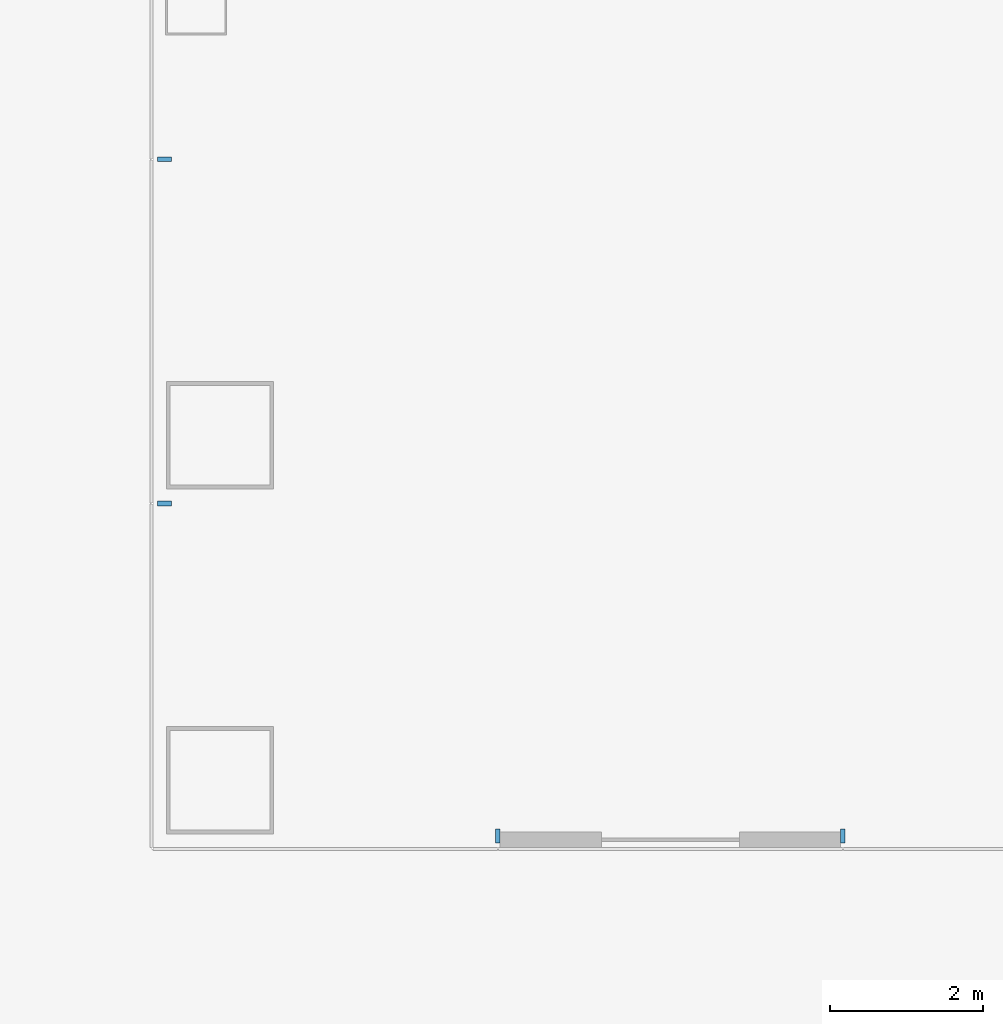
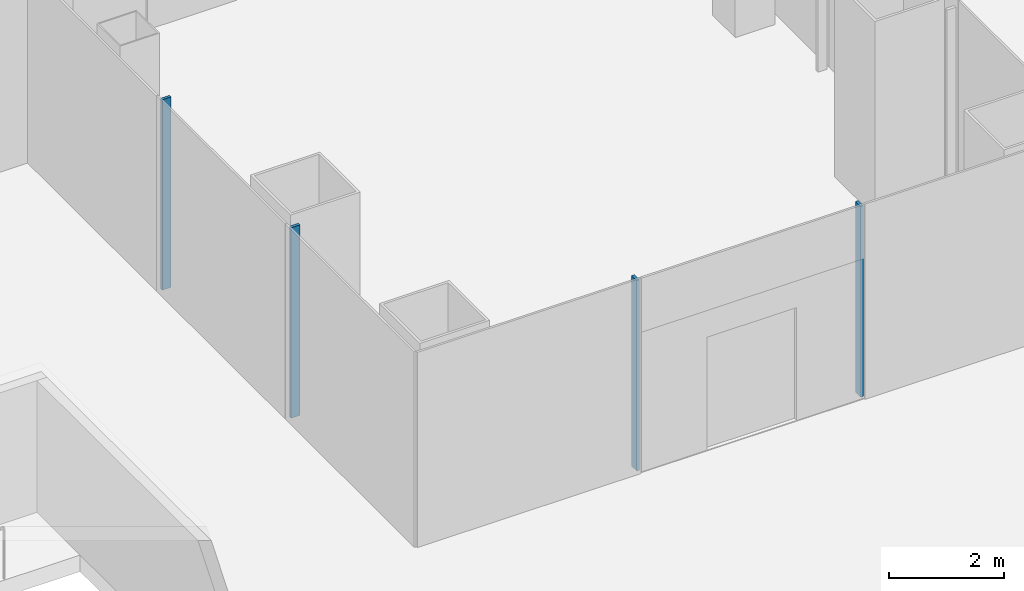
# One storey, part 3 of 23: 4 members, 2 elements without a shape of their own.
"""IFC4 building model written with IfcOpenShell, lengths in metres."""

from ifc_helpers import new_model, si_unit, direction, frame, origin, origin_2d, place, context, subcontext, project, spatial, rectangle, extrude, material, layer, layer_set, material_profile, profile_set, type_object, element, aggregate, save


model = new_model("IFC4")

# Units and contexts
model_context = context("Model", 3, precision=1e-05, world=origin(), true_north=direction((0.0, 1.0)))
body_context = subcontext(model_context, "Body", "Model", "MODEL_VIEW")
ifc_project = project(units=[si_unit("LENGTHUNIT", "METRE"), si_unit("AREAUNIT", "SQUARE_METRE"), si_unit("VOLUMEUNIT", "CUBIC_METRE"), si_unit("PLANEANGLEUNIT", "RADIAN"), si_unit("MASSUNIT", "GRAM", prefix="KILO")], contexts=[model_context])

# Site, building, storey
site_placement = place(None, origin())
site = spatial("IfcSite", under=ifc_project, at=site_placement, CompositionType="ELEMENT")
building_placement = place(site_placement, origin())
building = spatial("IfcBuilding", under=site, at=building_placement, Name="Shamsa Quay Exchange Towers", CompositionType="ELEMENT")
storey_placement = place(building_placement, frame((0.0, 0.0, 28.5)))
storey = spatial("IfcBuildingStorey", under=building, at=storey_placement, Name="L05", CompositionType="ELEMENT", Elevation=28.5)

# Curtain wall, members
ifc_material = material(Name="Aluminium EN AW-6063 T6, black anodised", Category="aluminium")
ifc_layer = layer(ifc_material, 0.280029296875)
ifc_layer_set = layer_set([ifc_layer], Name="CW-1 UNITISED VISION GLASS")
curtain_wall_type = type_object("IfcCurtainWallType", Name="CW-1 UNITISED VISION GLASS", PredefinedType="NOTDEFINED", material=ifc_layer_set)
curtain_wall_1_placement = place(storey_placement, origin())
curtain_wall_1 = element("IfcCurtainWall", 1, at=curtain_wall_1_placement, inside=storey, type_object=curtain_wall_type, Name="CW1 T1-FLK-V-W L05", PredefinedType="NOTDEFINED")
ifc_material_profile = material_profile(ifc_material, rectangle(XDim=0.179931640625, YDim=0.06005859375, at=origin_2d()), Name="MU60x180")
ifc_profile_set = profile_set([ifc_material_profile], Name="Aluminium EN AW-6063 T6, black anodised")
member_type = type_object("IfcMemberType", Name="CW1 MULLION 60x180", PredefinedType="MULLION", material=ifc_profile_set)
member_1_placement = place(storey_placement, frame((-40.35009765625, -15.775390625, 0.0)))
member_1 = element("IfcMember", 2, at=member_1_placement, type_object=member_type, Name="CW1 mullion", PredefinedType="MULLION", context=body_context, shape_type="SweptSolid", body=[
    extrude(rectangle(XDim=0.179931640625, YDim=0.06005859375, at=origin_2d()), origin(), (0.0, 0.0, 1.0), 4.050048828125),
])
member_2_placement = place(storey_placement, frame((-40.35009765625, -20.2626953125, 0.0)))
member_2 = element("IfcMember", 3, at=member_2_placement, type_object=member_type, Name="CW1 mullion", PredefinedType="MULLION", context=body_context, shape_type="SweptSolid", body=[
    extrude(rectangle(XDim=0.179931640625, YDim=0.06005859375, at=origin_2d()), origin(), (0.0, 0.0, 1.0), 4.050048828125),
])
aggregate(curtain_wall_1, [member_1, member_2])

curtain_wall_2_placement = place(storey_placement, origin())
curtain_wall_2 = element("IfcCurtainWall", 4, at=curtain_wall_2_placement, inside=storey, type_object=curtain_wall_type, Name="CW1 T1-END-V- L05", PredefinedType="NOTDEFINED")
member_3_placement = place(storey_placement, frame((-36.0, -24.60009765625, 0.0), z_axis=(0.0, 0.0, 1.0), x_axis=(0.0, 1.0, 0.0)))
member_3 = element("IfcMember", 5, at=member_3_placement, type_object=member_type, Name="CW1 mullion", PredefinedType="MULLION", context=body_context, shape_type="SweptSolid", body=[
    extrude(rectangle(XDim=0.179931640625, YDim=0.06005859375, at=origin_2d()), origin(), (0.0, 0.0, 1.0), 4.050048828125),
])
member_4_placement = place(storey_placement, frame((-31.5, -24.60009765625, 0.0), z_axis=(0.0, 0.0, 1.0), x_axis=(0.0, 1.0, 0.0)))
member_4 = element("IfcMember", 6, at=member_4_placement, type_object=member_type, Name="CW1 mullion", PredefinedType="MULLION", context=body_context, shape_type="SweptSolid", body=[
    extrude(rectangle(XDim=0.179931640625, YDim=0.06005859375, at=origin_2d()), origin(), (0.0, 0.0, 1.0), 4.050048828125),
])
aggregate(curtain_wall_2, [member_3, member_4])

save(model, "model.ifc")
